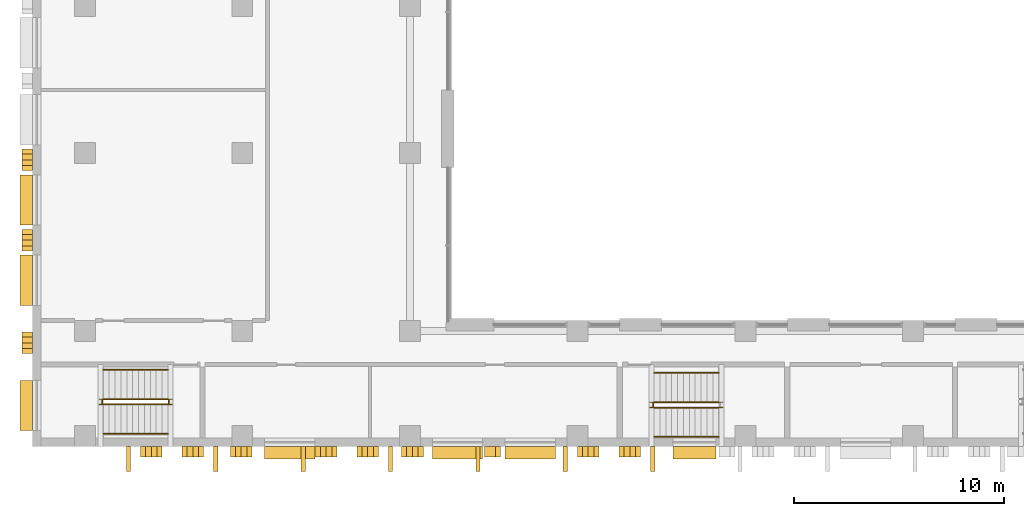
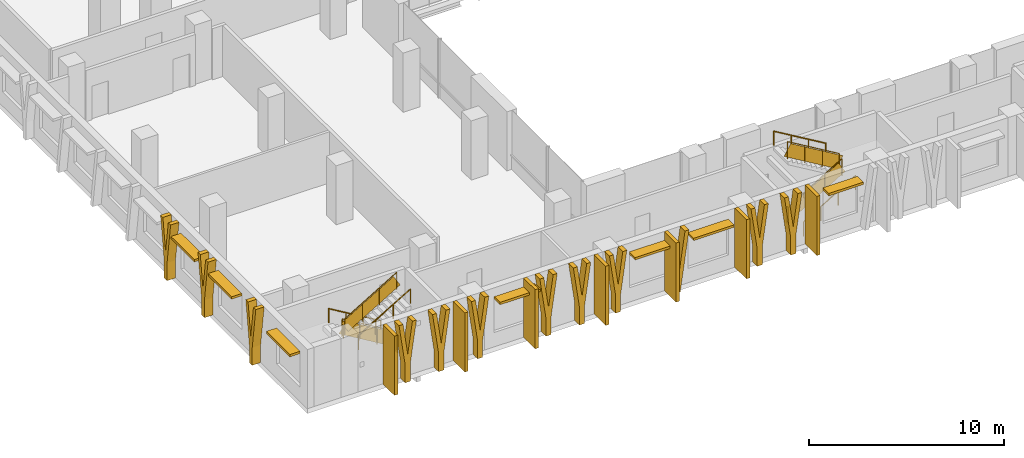
# One storey, part 17 of 24: 26 shading devices, 11 railings.
"""IFC4 building model written with IfcOpenShell, lengths in metres."""

from ifc_helpers import new_model, si_unit, direction, frame, frame_2d, origin, origin_2d, place, context, subcontext, project, spatial, polyline, rectangle, circle, outline, extrude, material, layer, layer_set, type_object, element, save


model = new_model("IFC4")

# Units and contexts
model_context = context("Model", 3, precision=1e-05, world=origin(), true_north=direction((0.0, 1.0)))
body_context = subcontext(model_context, "Body", "Model", "MODEL_VIEW")
ifc_project = project(units=[si_unit("LENGTHUNIT", "METRE"), si_unit("AREAUNIT", "SQUARE_METRE"), si_unit("VOLUMEUNIT", "CUBIC_METRE"), si_unit("PLANEANGLEUNIT", "RADIAN"), si_unit("MASSUNIT", "GRAM", prefix="KILO")], contexts=[model_context])

# Site, building, storey
site_placement = place(None, origin())
site = spatial("IfcSite", under=ifc_project, at=site_placement, CompositionType="ELEMENT")
building_placement = place(site_placement, origin())
building = spatial("IfcBuilding", under=site, at=building_placement, Name="Vidyagriha Tower", CompositionType="ELEMENT")
storey_placement = place(building_placement, frame((0.0, 0.0, 22.0)))
storey = spatial("IfcBuildingStorey", under=building, at=storey_placement, Name="L05", CompositionType="ELEMENT", Elevation=22.0)

# Shading devices
ifc_material_1 = material(Name="Precast concrete C40/50 with brick facing", Category="concrete")
ifc_layer_1 = layer(ifc_material_1, 0.14990234375)
ifc_layer_set_1 = layer_set([ifc_layer_1], Name="Precast concrete C40/50 with brick facing")
shading_device_type_1 = type_object("IfcShadingDeviceType", Name="Brick chhajja window hood", PredefinedType="AWNING", material=ifc_layer_set_1)
for number, where, z_axis, x_axis, name in (
    (1, (-40.300048828125, -38.25, 3.0), (0.0, 0.0, 1.0), (0.0, -1.0, 0.0), "Window hood L05 R05.15"),
    (2, (-40.300048828125, -42.083251953125, 3.0), (0.0, 0.0, 1.0), (0.0, -1.0, 0.0), "Window hood L05 R05.16"),
    (3, (-40.300048828125, -48.050048828125, 3.0), (0.0, 0.0, 1.0), (0.0, -1.0, 0.0), "Window hood L05 R05.18"),
):
    element("IfcShadingDevice", number, at=place(storey_placement, frame(where, z_axis=z_axis, x_axis=x_axis)), inside=storey, type_object=shading_device_type_1, Name=name, PredefinedType="AWNING", context=body_context, shape_type="SweptSolid", body=[
        extrude(rectangle(XDim=2.39990234375, YDim=0.60009765625, at=origin_2d()), origin(), (0.0, 0.0, 1.0), 0.14990234375),
    ])
for number, where, name in (
    (4, (-27.735107421875, -50.300048828125, 3.0), "Window hood L05 R06.7"),
    (5, (-19.735107421875, -50.300048828125, 3.0), "Window hood L05 R06.11"),
    (6, (-16.264892578125, -50.300048828125, 3.0), "Window hood L05 R06.12"),
):
    element("IfcShadingDevice", number, at=place(storey_placement, frame(where)), inside=storey, type_object=shading_device_type_1, Name=name, PredefinedType="AWNING", context=body_context, shape_type="SweptSolid", body=[
        extrude(rectangle(XDim=2.39990234375, YDim=0.60009765625, at=origin_2d()), origin(), (0.0, 0.0, 1.0), 0.14990234375),
    ])
shading_device_1_placement = place(storey_placement, frame((-8.43994140625, -50.300048828125, 3.0)))
element("IfcShadingDevice", 7, at=shading_device_1_placement, inside=storey, type_object=shading_device_type_1, Name="Window hood L05 R06.16", PredefinedType="AWNING", context=body_context, shape_type="SweptSolid", body=[
    extrude(rectangle(XDim=2.050048828125, YDim=0.60009765625, at=origin_2d()), origin(), (0.0, 0.0, 1.0), 0.14990234375),
])
ifc_material_2 = material(Name="Precast concrete C40/50 with buff brick facing", Category="concrete")
ifc_layer_2 = layer(ifc_material_2, 0.300048828125)
ifc_layer_set_2 = layer_set([ifc_layer_2], Name="Precast concrete C40/50 with buff brick facing")
shading_device_type_2 = type_object("IfcShadingDeviceType", Name="Brick-faced podium blade forking 8 degrees", PredefinedType="USERDEFINED", material=ifc_layer_set_2)
for number, where, z_axis, x_axis, name in (
    (8, (-40.25, -35.81787109375, 0.0), (0.0, 0.0, 1.0), (0.0, -1.0, 0.0), "Podium blade L05 R05.5633"),
    (9, (-40.25, -39.651123046875, 0.0), (0.0, 0.0, 1.0), (0.0, -1.0, 0.0), "Podium blade L05 R05.6017"),
    (10, (-40.25, -44.55126953125, 0.0), (0.0, 0.0, 1.0), (0.0, -1.0, 0.0), "Podium blade L05 R05.6507"),
):
    element("IfcShadingDevice", number, at=place(storey_placement, frame(where, z_axis=z_axis, x_axis=x_axis)), inside=storey, type_object=shading_device_type_2, Name=name, ObjectType="BLADE FIN", PredefinedType="USERDEFINED", context=body_context, shape_type="SweptSolid", body=[
        extrude(outline(polyline([(0.665283203125, 0.0), (0.665283203125, 1.10009765625), (1.03076171875, 3.699951171875), (0.790771484375, 3.699951171875), (0.515380859375, 1.740478515625), (0.239990234375, 3.699951171875), (0.0, 3.699951171875), (0.365478515625, 1.10009765625), (0.365478515625, 0.0), (0.665283203125, 0.0)])), frame((0.0, 0.25, 0.0), z_axis=(0.0, -1.0, 0.0), x_axis=(1.0, 0.0, 0.0)), (0.0, 0.0, 1.0), 0.5),
    ])
for number, where, name in (
    (11, (-34.85498046875, -50.25, 0.0), "Podium blade L05 R06.526"),
    (12, (-32.87060546875, -50.25, 0.0), "Podium blade L05 R06.724"),
    (13, (-30.564453125, -50.25, 0.0), "Podium blade L05 R06.955"),
    (14, (-26.51806640625, -50.25, 0.0), "Podium blade L05 R06.1360"),
    (15, (-24.53369140625, -50.25, 0.0), "Podium blade L05 R06.1558"),
    (16, (-22.39599609375, -50.25, 0.0), "Podium blade L05 R06.1772"),
    (17, (-14.0126953125, -50.25, 0.0), "Podium blade L05 R06.2610"),
    (18, (-12.028564453125, -50.25, 0.0), "Podium blade L05 R06.2809"),
):
    element("IfcShadingDevice", number, at=place(storey_placement, frame(where)), inside=storey, type_object=shading_device_type_2, Name=name, ObjectType="BLADE FIN", PredefinedType="USERDEFINED", context=body_context, shape_type="SweptSolid", body=[
        extrude(outline(polyline([(0.665283203125, 0.0), (0.665283203125, 1.10009765625), (1.03076171875, 3.699951171875), (0.790771484375, 3.699951171875), (0.515380859375, 1.740478515625), (0.239990234375, 3.699951171875), (0.0, 3.699951171875), (0.365478515625, 1.10009765625), (0.365478515625, 0.0), (0.665283203125, 0.0)])), frame((0.0, 0.25, 0.0), z_axis=(0.0, -1.0, 0.0), x_axis=(1.0, 0.0, 0.0)), (0.0, 0.0, 1.0), 0.5),
    ])
ifc_material_3 = material(Name="Precast concrete C40/50 with buff brick facing", Category="concrete")
ifc_layer_3 = layer(ifc_material_3, 0.239990234375)
ifc_layer_set_3 = layer_set([ifc_layer_3], Name="Precast concrete C40/50 with buff brick facing")
shading_device_type_3 = type_object("IfcShadingDeviceType", Name="Brick-faced podium blade leaning 8 degrees", PredefinedType="USERDEFINED", material=ifc_layer_set_3)
shading_device_2_placement = place(storey_placement, frame((-18.44140625, -50.25, 0.0)))
element("IfcShadingDevice", 19, at=shading_device_2_placement, inside=storey, type_object=shading_device_type_3, Name="Podium blade L05 R06.2154", ObjectType="BLADE FIN", PredefinedType="USERDEFINED", context=body_context, shape_type="SweptSolid", body=[
    extrude(outline(polyline([(0.0, 0.0), (0.239990234375, 0.0), (0.760009765625, 3.699951171875), (0.52001953125, 3.699951171875), (0.0, 0.0)])), frame((0.0, 0.25, 0.0), z_axis=(0.0, -1.0, 0.0), x_axis=(1.0, 0.0, 0.0)), (0.0, 0.0, 1.0), 0.5),
])
ifc_material_4 = material(Name="Precast concrete C40/50 with brick facing", Category="concrete")
ifc_layer_4 = layer(ifc_material_4, 0.199951171875)
ifc_layer_set_4 = layer_set([ifc_layer_4], Name="Precast concrete C40/50 with brick facing")
shading_device_type_4 = type_object("IfcShadingDeviceType", Name="Brick-faced solar fin 1200", PredefinedType="USERDEFINED", material=ifc_layer_set_4)
for number, where, z_axis, x_axis, name in (
    (20, (-35.431640625, -50.0, 0.0), (0.0, 0.0, 1.0), (0.0, -1.0, 0.0), "Solar fin L05 R06.1"),
    (21, (-31.26318359375, -50.0, 0.0), (0.0, 0.0, 1.0), (0.0, -1.0, 0.0), "Solar fin L05 R06.2"),
    (22, (-27.0947265625, -50.0, 0.0), (0.0, 0.0, 1.0), (0.0, -1.0, 0.0), "Solar fin L05 R06.3"),
    (23, (-22.92626953125, -50.0, 0.0), (0.0, 0.0, 1.0), (0.0, -1.0, 0.0), "Solar fin L05 R06.4"),
    (24, (-18.7578125, -50.0, 0.0), (0.0, 0.0, 1.0), (0.0, -1.0, 0.0), "Solar fin L05 R06.5"),
    (25, (-14.589599609375, -50.0, 0.0), (0.0, 0.0, 1.0), (0.0, -1.0, 0.0), "Solar fin L05 R06.6"),
    (26, (-10.421142578125, -50.0, 0.0), (0.0, 0.0, 1.0), (0.0, -1.0, 0.0), "Solar fin L05 R06.7"),
):
    element("IfcShadingDevice", number, at=place(storey_placement, frame(where, z_axis=z_axis, x_axis=x_axis)), inside=storey, type_object=shading_device_type_4, Name=name, ObjectType="SOLAR FIN", PredefinedType="USERDEFINED", context=body_context, shape_type="SweptSolid", body=[
        extrude(rectangle(XDim=1.199951171875, YDim=0.199951171875, at=frame_2d((0.60009765625, 0.0))), origin(), (0.0, 0.0, 1.0), 3.699951171875),
    ])

# Railings
ifc_material_5 = material(Name="Powder coated ASTM A500 Grade C steel balustrade", Category="steel")
railing_type_1 = type_object("IfcRailingType", Name="Podium Stair Guard 1100", PredefinedType="GUARDRAIL", material=ifc_material_5)
railing_1_placement = place(storey_placement, frame((-33.544921875, -47.75, 0.166748046875)))
element("IfcRailing", 27, at=railing_1_placement, inside=storey, type_object=railing_type_1, Name="L05 PS1 stair guard 1", PredefinedType="GUARDRAIL", context=body_context, shape_type="SweptSolid", body=[
    extrude(circle(Radius=0.02392578125, at=origin_2d()), frame((0.0, 0.0, 1.076171875), z_axis=(-0.859308565015, 0.0, 0.511457515432), x_axis=(0.0, -1.0, 0.0)), (0.0, 0.0, 1.0), 3.58447265625),
    extrude(circle(Radius=0.02099609375, at=origin_2d()), origin(), (0.0, 0.0, 1.0), 1.052001953125),
    extrude(circle(Radius=0.02099609375, at=origin_2d()), frame((-1.026611328125, 0.0, 0.611083984375)), (0.0, 0.0, 1.0), 1.052001953125),
    extrude(circle(Radius=0.02099609375, at=origin_2d()), frame((-2.053466796875, 0.0, 1.22216796875)), (0.0, 0.0, 1.0), 1.052001953125),
    extrude(circle(Radius=0.02099609375, at=origin_2d()), frame((-3.080078125, 0.0, 1.833251953125)), (0.0, 0.0, 1.0), 1.052001953125),
    extrude(rectangle(XDim=0.010009765625, YDim=0.775146484375, at=origin_2d()), frame((0.0, 0.0, 0.551025390625), z_axis=(-0.859308565015, 0.0, 0.511457515432), x_axis=(0.0, -1.0, 0.0)), (0.0, 0.0, 1.0), 3.58447265625),
])
railing_2_placement = place(storey_placement, frame((-36.675048828125, -47.800048828125, 2.0)))
element("IfcRailing", 28, at=railing_2_placement, inside=storey, type_object=railing_type_1, Name="L05 PS1 stair guard 2", PredefinedType="GUARDRAIL", context=body_context, shape_type="SweptSolid", body=[
    extrude(circle(Radius=0.02392578125, at=origin_2d()), frame((0.0, 0.0, 1.076171875), z_axis=(0.0, -1.0, 0.0), x_axis=(1.0, 0.0, 0.0)), (0.0, 0.0, 1.0), 0.14990234375),
    extrude(circle(Radius=0.02099609375, at=origin_2d()), origin(), (0.0, 0.0, 1.0), 1.052001953125),
    extrude(circle(Radius=0.02099609375, at=origin_2d()), frame((0.0, -0.14990234375, 0.0)), (0.0, 0.0, 1.0), 1.052001953125),
    extrude(rectangle(XDim=0.010009765625, YDim=0.902099609375, at=origin_2d()), frame((0.0, 0.0, 0.551025390625), z_axis=(0.0, -1.0, 0.0), x_axis=(1.0, 0.0, 0.0)), (0.0, 0.0, 1.0), 0.14990234375),
])
railing_3_placement = place(storey_placement, frame((-36.625, -48.0, 2.166748046875)))
element("IfcRailing", 29, at=railing_3_placement, inside=storey, type_object=railing_type_1, Name="L05 PS1 stair guard 3", PredefinedType="GUARDRAIL", context=body_context, shape_type="SweptSolid", body=[
    extrude(circle(Radius=0.02392578125, at=origin_2d()), frame((0.0, 0.0, 1.076171875), z_axis=(0.859308565015, 0.0, 0.511457515432), x_axis=(0.0, 1.0, 0.0)), (0.0, 0.0, 1.0), 3.58447265625),
    extrude(circle(Radius=0.02099609375, at=origin_2d()), origin(), (0.0, 0.0, 1.0), 1.052001953125),
    extrude(circle(Radius=0.02099609375, at=origin_2d()), frame((1.026611328125, 0.0, 0.611083984375)), (0.0, 0.0, 1.0), 1.052001953125),
    extrude(circle(Radius=0.02099609375, at=origin_2d()), frame((2.053466796875, 0.0, 1.22216796875)), (0.0, 0.0, 1.0), 1.052001953125),
    extrude(circle(Radius=0.02099609375, at=origin_2d()), frame((3.080078125, 0.0, 1.833251953125)), (0.0, 0.0, 1.0), 1.052001953125),
    extrude(rectangle(XDim=0.010009765625, YDim=0.775146484375, at=origin_2d()), frame((0.0, 0.0, 0.551025390625), z_axis=(0.859308565015, 0.0, 0.511457515432), x_axis=(0.0, 1.0, 0.0)), (0.0, 0.0, 1.0), 3.58447265625),
])
railing_4_placement = place(storey_placement, frame((-33.4951171875, -47.800048828125, 0.0)))
element("IfcRailing", 30, at=railing_4_placement, inside=storey, type_object=railing_type_1, Name="L05 PS1 stair guard 4", PredefinedType="GUARDRAIL", context=body_context, shape_type="SweptSolid", body=[
    extrude(circle(Radius=0.02392578125, at=origin_2d()), frame((0.0, 0.0, 1.076171875), z_axis=(0.0, -1.0, 0.0), x_axis=(1.0, 0.0, 0.0)), (0.0, 0.0, 1.0), 0.14990234375),
    extrude(circle(Radius=0.02099609375, at=origin_2d()), origin(), (0.0, 0.0, 1.0), 1.052001953125),
    extrude(circle(Radius=0.02099609375, at=origin_2d()), frame((0.0, -0.14990234375, 0.0)), (0.0, 0.0, 1.0), 1.052001953125),
    extrude(rectangle(XDim=0.010009765625, YDim=0.902099609375, at=origin_2d()), frame((0.0, 0.0, 0.551025390625), z_axis=(0.0, -1.0, 0.0), x_axis=(1.0, 0.0, 0.0)), (0.0, 0.0, 1.0), 0.14990234375),
])
railing_5_placement = place(storey_placement, frame((-10.35498046875, -48.14990234375, 0.166748046875)))
element("IfcRailing", 31, at=railing_5_placement, inside=storey, type_object=railing_type_1, Name="L05 PS3 stair guard 1", PredefinedType="GUARDRAIL", context=body_context, shape_type="SweptSolid", body=[
    extrude(circle(Radius=0.02392578125, at=origin_2d()), frame((0.0, 0.0, 1.076171875), z_axis=(0.859308565015, 0.0, 0.511457515432), x_axis=(0.0, 1.0, 0.0)), (0.0, 0.0, 1.0), 3.58447265625),
    extrude(circle(Radius=0.02099609375, at=origin_2d()), origin(), (0.0, 0.0, 1.0), 1.052001953125),
    extrude(circle(Radius=0.02099609375, at=origin_2d()), frame((1.026611328125, 0.0, 0.611083984375)), (0.0, 0.0, 1.0), 1.052001953125),
    extrude(circle(Radius=0.02099609375, at=origin_2d()), frame((2.053466796875, 0.0, 1.22216796875)), (0.0, 0.0, 1.0), 1.052001953125),
    extrude(circle(Radius=0.02099609375, at=origin_2d()), frame((3.080078125, 0.0, 1.833251953125)), (0.0, 0.0, 1.0), 1.052001953125),
    extrude(rectangle(XDim=0.010009765625, YDim=0.775146484375, at=origin_2d()), frame((0.0, 0.0, 0.551025390625), z_axis=(0.859308565015, 0.0, 0.511457515432), x_axis=(0.0, 1.0, 0.0)), (0.0, 0.0, 1.0), 3.58447265625),
])
railing_6_placement = place(storey_placement, frame((-7.27490234375, -47.89990234375, 2.166748046875)))
element("IfcRailing", 32, at=railing_6_placement, inside=storey, type_object=railing_type_1, Name="L05 PS3 stair guard 3", PredefinedType="GUARDRAIL", context=body_context, shape_type="SweptSolid", body=[
    extrude(circle(Radius=0.02392578125, at=origin_2d()), frame((0.0, 0.0, 1.076171875), z_axis=(-0.859308565015, 0.0, 0.511457515432), x_axis=(0.0, -1.0, 0.0)), (0.0, 0.0, 1.0), 3.58447265625),
    extrude(circle(Radius=0.02099609375, at=origin_2d()), origin(), (0.0, 0.0, 1.0), 1.052001953125),
    extrude(circle(Radius=0.02099609375, at=origin_2d()), frame((-1.026611328125, 0.0, 0.611083984375)), (0.0, 0.0, 1.0), 1.052001953125),
    extrude(circle(Radius=0.02099609375, at=origin_2d()), frame((-2.053466796875, 0.0, 1.22216796875)), (0.0, 0.0, 1.0), 1.052001953125),
    extrude(circle(Radius=0.02099609375, at=origin_2d()), frame((-3.080078125, 0.0, 1.833251953125)), (0.0, 0.0, 1.0), 1.052001953125),
    extrude(rectangle(XDim=0.010009765625, YDim=0.775146484375, at=origin_2d()), frame((0.0, 0.0, 0.551025390625), z_axis=(-0.859308565015, 0.0, 0.511457515432), x_axis=(0.0, -1.0, 0.0)), (0.0, 0.0, 1.0), 3.58447265625),
])
railing_7_placement = place(storey_placement, frame((-10.405029296875, -48.10009765625, 0.0)))
element("IfcRailing", 33, at=railing_7_placement, inside=storey, type_object=railing_type_1, Name="L05 PS3 stair guard 4", PredefinedType="GUARDRAIL", context=body_context, shape_type="SweptSolid", body=[
    extrude(circle(Radius=0.02392578125, at=origin_2d()), frame((0.0, 0.0, 1.076171875), z_axis=(0.0, 1.0, 0.0), x_axis=(-1.0, 0.0, 0.0)), (0.0, 0.0, 1.0), 0.150146484375),
    extrude(circle(Radius=0.02099609375, at=origin_2d()), origin(), (0.0, 0.0, 1.0), 1.052001953125),
    extrude(circle(Radius=0.02099609375, at=origin_2d()), frame((0.0, 0.150146484375, 0.0)), (0.0, 0.0, 1.0), 1.052001953125),
    extrude(rectangle(XDim=0.010009765625, YDim=0.902099609375, at=origin_2d()), frame((0.0, 0.0, 0.551025390625), z_axis=(0.0, 1.0, 0.0), x_axis=(-1.0, 0.0, 0.0)), (0.0, 0.0, 1.0), 0.150146484375),
])
ifc_material_6 = material(Name="Powder coated ASTM A500 Grade C steel handrail", Category="steel")
railing_type_2 = type_object("IfcRailingType", Name="Podium Stair Handrail 900", PredefinedType="HANDRAIL", material=ifc_material_6)
railing_8_placement = place(storey_placement, frame((-33.544921875, -46.35009765625, 0.166748046875)))
element("IfcRailing", 34, at=railing_8_placement, inside=storey, type_object=railing_type_2, Name="L05 PS1 stair handrail 1", PredefinedType="HANDRAIL", context=body_context, shape_type="SweptSolid", body=[
    extrude(circle(Radius=0.02392578125, at=origin_2d()), frame((0.0, 0.0, 0.8759765625), z_axis=(-0.859308565015, 0.0, 0.511457515432), x_axis=(0.0, -1.0, 0.0)), (0.0, 0.0, 1.0), 3.58447265625),
    extrude(circle(Radius=0.02099609375, at=origin_2d()), origin(), (0.0, 0.0, 1.0), 0.851806640625),
    extrude(circle(Radius=0.02099609375, at=origin_2d()), frame((-1.026611328125, 0.0, 0.611083984375)), (0.0, 0.0, 1.0), 0.851806640625),
    extrude(circle(Radius=0.02099609375, at=origin_2d()), frame((-2.053466796875, 0.0, 1.22216796875)), (0.0, 0.0, 1.0), 0.851806640625),
    extrude(circle(Radius=0.02099609375, at=origin_2d()), frame((-3.080078125, 0.0, 1.833251953125)), (0.0, 0.0, 1.0), 0.851806640625),
])
for number, where, name in (
    (35, (-36.625, -49.39990234375, 2.166748046875), "L05 PS1 stair handrail 2"),
    (36, (-10.35498046875, -49.550048828125, 0.166748046875), "L05 PS3 stair handrail 1"),
):
    element("IfcRailing", number, at=place(storey_placement, frame(where)), inside=storey, type_object=railing_type_2, Name=name, PredefinedType="HANDRAIL", context=body_context, shape_type="SweptSolid", body=[
        extrude(circle(Radius=0.02392578125, at=origin_2d()), frame((0.0, 0.0, 0.8759765625), z_axis=(0.859308565015, 0.0, 0.511457515432), x_axis=(0.0, 1.0, 0.0)), (0.0, 0.0, 1.0), 3.58447265625),
        extrude(circle(Radius=0.02099609375, at=origin_2d()), origin(), (0.0, 0.0, 1.0), 0.851806640625),
        extrude(circle(Radius=0.02099609375, at=origin_2d()), frame((1.026611328125, 0.0, 0.611083984375)), (0.0, 0.0, 1.0), 0.851806640625),
        extrude(circle(Radius=0.02099609375, at=origin_2d()), frame((2.053466796875, 0.0, 1.22216796875)), (0.0, 0.0, 1.0), 0.851806640625),
        extrude(circle(Radius=0.02099609375, at=origin_2d()), frame((3.080078125, 0.0, 1.833251953125)), (0.0, 0.0, 1.0), 0.851806640625),
    ])
railing_9_placement = place(storey_placement, frame((-7.27490234375, -46.5, 2.166748046875)))
element("IfcRailing", 37, at=railing_9_placement, inside=storey, type_object=railing_type_2, Name="L05 PS3 stair handrail 2", PredefinedType="HANDRAIL", context=body_context, shape_type="SweptSolid", body=[
    extrude(circle(Radius=0.02392578125, at=origin_2d()), frame((0.0, 0.0, 0.8759765625), z_axis=(-0.859308565015, 0.0, 0.511457515432), x_axis=(0.0, -1.0, 0.0)), (0.0, 0.0, 1.0), 3.58447265625),
    extrude(circle(Radius=0.02099609375, at=origin_2d()), origin(), (0.0, 0.0, 1.0), 0.851806640625),
    extrude(circle(Radius=0.02099609375, at=origin_2d()), frame((-1.026611328125, 0.0, 0.611083984375)), (0.0, 0.0, 1.0), 0.851806640625),
    extrude(circle(Radius=0.02099609375, at=origin_2d()), frame((-2.053466796875, 0.0, 1.22216796875)), (0.0, 0.0, 1.0), 0.851806640625),
    extrude(circle(Radius=0.02099609375, at=origin_2d()), frame((-3.080078125, 0.0, 1.833251953125)), (0.0, 0.0, 1.0), 0.851806640625),
])

save(model, "model.ifc")
